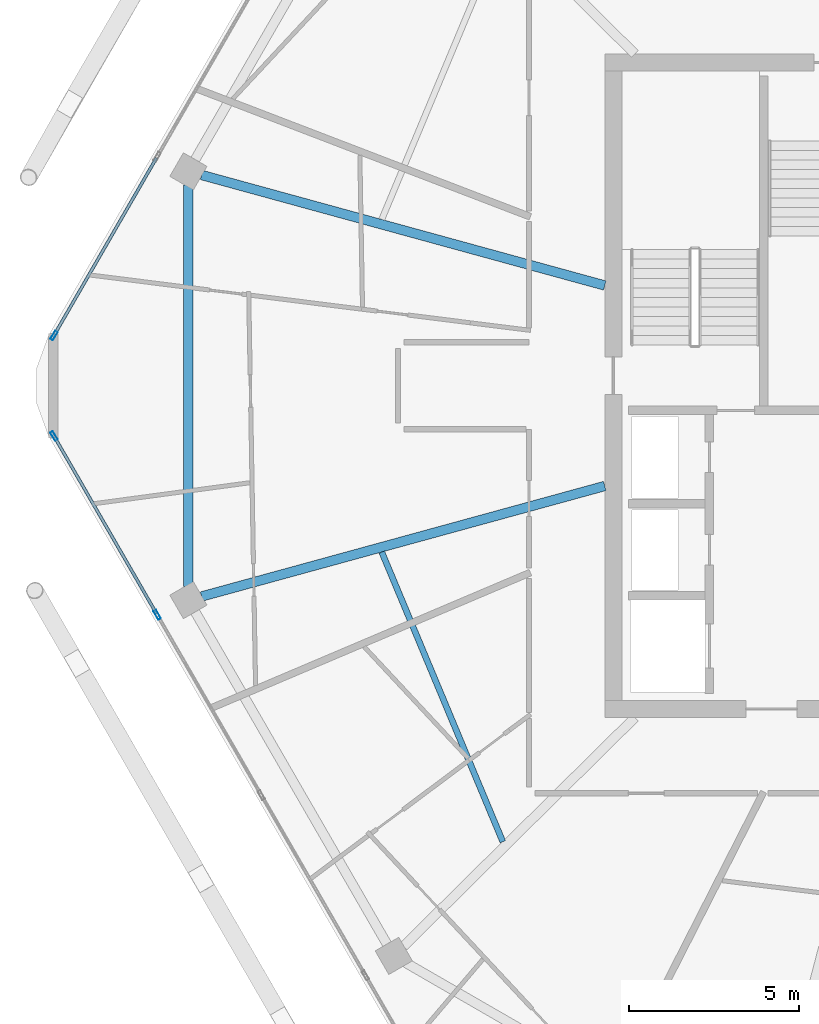
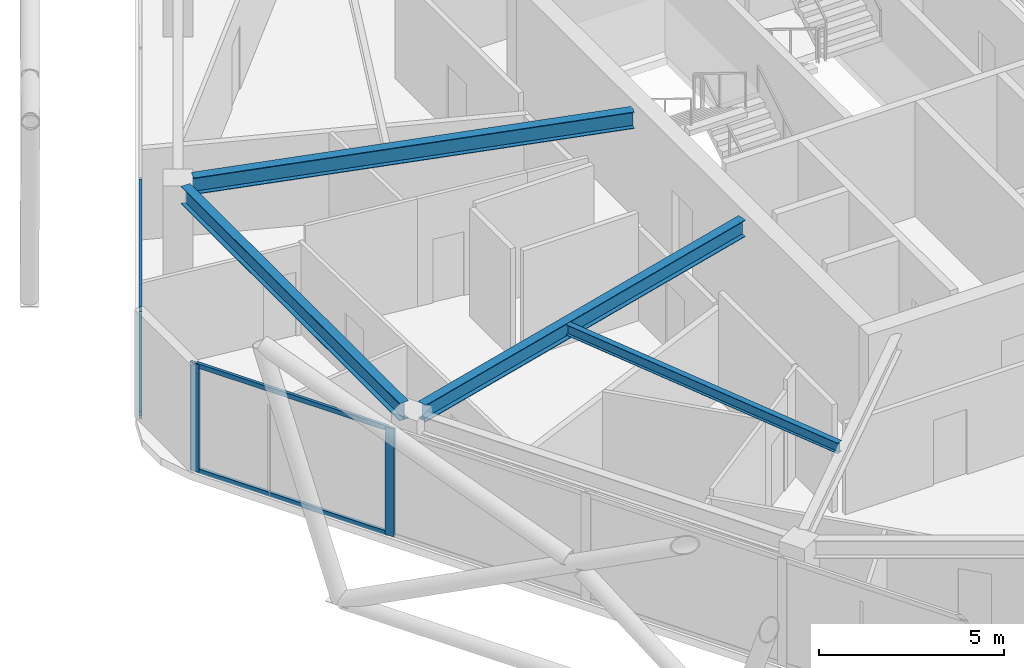
# One storey, part 6 of 23: 7 members, 4 beams, 2 elements without a shape of their own.
"""IFC4 building model written with IfcOpenShell, lengths in metres."""

from ifc_helpers import new_model, si_unit, direction, frame, origin, origin_2d, place, context, subcontext, project, spatial, hollow_rectangle, i_section, extrude, material, material_profile, profile_set, type_object, element, aggregate, save


model = new_model("IFC4")

# Units and contexts
model_context = context("Model", 3, precision=1e-05, world=origin(), true_north=direction((0.0, 1.0)))
body_context = subcontext(model_context, "Body", "Model", "MODEL_VIEW")
ifc_project = project(units=[si_unit("LENGTHUNIT", "METRE"), si_unit("AREAUNIT", "SQUARE_METRE"), si_unit("VOLUMEUNIT", "CUBIC_METRE"), si_unit("PLANEANGLEUNIT", "RADIAN"), si_unit("MASSUNIT", "GRAM", prefix="KILO")], contexts=[model_context])

# Site, building, storey
site_placement = place(None, origin())
site = spatial("IfcSite", under=ifc_project, at=site_placement, CompositionType="ELEMENT")
building_placement = place(site_placement, origin())
building = spatial("IfcBuilding", under=site, at=building_placement, Name="Zuhravey Tower", CompositionType="ELEMENT")
storey_placement = place(building_placement, frame((0.0, 0.0, 323.39990234375)))
storey = spatial("IfcBuildingStorey", under=building, at=storey_placement, Name="L82", CompositionType="ELEMENT", Elevation=323.39990234375)

# Curtain wall, members
ifc_material_1 = material(Name="Thermally broken anodised aluminium", Category="aluminium")
curtain_wall_type = type_object("IfcCurtainWallType", Name="Zone 3-4 High-Rise Curtain Wall CW4", PredefinedType="NOTDEFINED", material=ifc_material_1)
curtain_wall_1_placement = place(storey_placement, origin())
curtain_wall_1 = element("IfcCurtainWall", 1, at=curtain_wall_1_placement, inside=storey, type_object=curtain_wall_type, Name="L82 CW4 CW-L82-F4-1", PredefinedType="NOTDEFINED")
ifc_material_2 = material(Name="Anodised aluminium", Category="aluminium")
ifc_material_profile_1 = material_profile(ifc_material_2, hollow_rectangle(XDim=0.090087890625, YDim=0.284912109375, WallThickness=0.0048828125, at=origin_2d()), Name="ALU-RHS-90x285x5")
ifc_profile_set_1 = profile_set([ifc_material_profile_1], Name="Anodised aluminium")
member_type_1 = type_object("IfcMemberType", Name="Curtain-Wall Mullion 90x180", PredefinedType="MULLION", material=ifc_profile_set_1)
member_1_placement = place(storey_placement, frame((12.09130859375, 25.2626953125, 0.0), z_axis=(0.0, 0.0, 1.0), x_axis=(-0.866025511541, -0.49999981336, 0.0)))
member_1 = element("IfcMember", 2, at=member_1_placement, type_object=member_type_1, Name="CW4 mullion 4", PredefinedType="MULLION", context=body_context, shape_type="SweptSolid", body=[
    extrude(hollow_rectangle(XDim=0.090087890625, YDim=0.284912109375, WallThickness=0.0048828125, at=origin_2d()), origin(), (0.0, 0.0, 1.0), 3.550048828125),
])
member_2_placement = place(storey_placement, frame((9.05419921875, 30.5234375, 0.0), z_axis=(0.0, 0.0, 1.0), x_axis=(-0.866025511541, -0.49999981336, 0.0)))
member_2 = element("IfcMember", 3, at=member_2_placement, type_object=member_type_1, Name="CW4 mullion 5", PredefinedType="MULLION", context=body_context, shape_type="SweptSolid", body=[
    extrude(hollow_rectangle(XDim=0.090087890625, YDim=0.284912109375, WallThickness=0.0048828125, at=origin_2d()), origin(), (0.0, 0.0, 1.0), 3.550048828125),
])

# Curtain wall, member
curtain_wall_2_placement = place(storey_placement, origin())
curtain_wall_2 = element("IfcCurtainWall", 4, at=curtain_wall_2_placement, inside=storey, type_object=curtain_wall_type, Name="L82 CW4 CW-L82-F3-1", PredefinedType="NOTDEFINED")
member_3_placement = place(storey_placement, frame((9.05419921875, 33.4765625, 0.0), z_axis=(0.0, 0.0, 1.0), x_axis=(-0.866025511541, 0.49999981336, 0.0)))
member_3 = element("IfcMember", 5, at=member_3_placement, type_object=member_type_1, Name="CW4 mullion 1", PredefinedType="MULLION", context=body_context, shape_type="SweptSolid", body=[
    extrude(hollow_rectangle(XDim=0.090087890625, YDim=0.284912109375, WallThickness=0.0048828125, at=origin_2d()), origin(), (0.0, 0.0, 1.0), 3.550048828125),
])

# Member
ifc_material_profile_2 = material_profile(ifc_material_2, hollow_rectangle(XDim=0.090087890625, YDim=0.14990234375, WallThickness=0.0048828125, at=origin_2d()), Name="ALU-RHS-90x150x5")
ifc_profile_set_2 = profile_set([ifc_material_profile_2], Name="Anodised aluminium")
member_type_2 = type_object("IfcMemberType", Name="Curtain-Wall Transom 90x150", PredefinedType="USERDEFINED", material=ifc_profile_set_2)
member_4_placement = place(storey_placement, frame((12.06884765625, 25.3017578125, 0.045166015625), z_axis=(-0.499982594807, 0.866035452444, 0.0), x_axis=(-0.866035452444, -0.499982594807, 0.0)))
member_4 = element("IfcMember", 6, at=member_4_placement, type_object=member_type_2, Name="CW4 transom 4.1", ObjectType="TRANSOM", PredefinedType="USERDEFINED", context=body_context, shape_type="SweptSolid", body=[
    extrude(hollow_rectangle(XDim=0.090087890625, YDim=0.14990234375, WallThickness=0.0048828125, at=origin_2d()), origin(), (0.0, 0.0, 1.0), 5.984619140625),
])

member_5_placement = place(storey_placement, frame((12.06884765625, 25.3017578125, 3.505126953125), z_axis=(-0.499982594807, 0.866035452444, 0.0), x_axis=(-0.866035452444, -0.499982594807, 0.0)))
member_5 = element("IfcMember", 7, at=member_5_placement, type_object=member_type_2, Name="CW4 transom 4.2", ObjectType="TRANSOM", PredefinedType="USERDEFINED", context=body_context, shape_type="SweptSolid", body=[
    extrude(hollow_rectangle(XDim=0.090087890625, YDim=0.14990234375, WallThickness=0.0048828125, at=origin_2d()), origin(), (0.0, 0.0, 1.0), 5.984619140625),
])

aggregate(curtain_wall_1, [member_1, member_2, member_4, member_5])

member_6_placement = place(storey_placement, frame((9.07666015625, 33.515380859375, 0.045166015625), z_axis=(0.499982594807, 0.866035452444, 0.0), x_axis=(-0.866035452444, 0.499982594807, 0.0)))
member_6 = element("IfcMember", 8, at=member_6_placement, type_object=member_type_2, Name="CW4 transom 1.1", ObjectType="TRANSOM", PredefinedType="USERDEFINED", context=body_context, shape_type="SweptSolid", body=[
    extrude(hollow_rectangle(XDim=0.090087890625, YDim=0.14990234375, WallThickness=0.0048828125, at=origin_2d()), origin(), (0.0, 0.0, 1.0), 5.984619140625),
])

member_7_placement = place(storey_placement, frame((9.07666015625, 33.515380859375, 3.505126953125), z_axis=(0.499982594807, 0.866035452444, 0.0), x_axis=(-0.866035452444, 0.499982594807, 0.0)))
member_7 = element("IfcMember", 9, at=member_7_placement, type_object=member_type_2, Name="CW4 transom 1.2", ObjectType="TRANSOM", PredefinedType="USERDEFINED", context=body_context, shape_type="SweptSolid", body=[
    extrude(hollow_rectangle(XDim=0.090087890625, YDim=0.14990234375, WallThickness=0.0048828125, at=origin_2d()), origin(), (0.0, 0.0, 1.0), 5.984619140625),
])

aggregate(curtain_wall_2, [member_3, member_6, member_7])

# Beams
ifc_material_3 = material(Name="Steel SM355", Category="steel")
ifc_material_profile_3 = material_profile(ifc_material_3, i_section(OverallWidth=0.280029296875, OverallDepth=0.580078125, WebThickness=0.011962890625, FlangeThickness=0.01904296875, at=origin_2d()), Name="H-580x280x12x19")
ifc_profile_set_3 = profile_set([ifc_material_profile_3], Name="Steel SM355")
beam_type_1 = type_object("IfcBeamType", Name="Perimeter Ring Beam H580x280", PredefinedType="BEAM", material=ifc_profile_set_3)
beam_1_placement = place(storey_placement, frame((13.006591796875, 37.8994140625, 3.260009765625), z_axis=(0.0, -1.0, 0.0), x_axis=(1.0, 0.0, 0.0)))
element("IfcBeam", 10, at=beam_1_placement, inside=storey, type_object=beam_type_1, Name="L82 PB4 BM-L82-PB-06", PredefinedType="BEAM", context=body_context, shape_type="SweptSolid", body=[
    extrude(i_section(OverallWidth=0.280029296875, OverallDepth=0.580078125, WebThickness=0.011962890625, FlangeThickness=0.01904296875, at=origin_2d()), origin(), (0.0, 0.0, 1.0), 11.798828125),
])
ifc_material_profile_4 = material_profile(ifc_material_3, i_section(OverallWidth=0.280029296875, OverallDepth=0.550048828125, WebThickness=0.010986328125, FlangeThickness=0.01806640625, at=origin_2d()), Name="H-550x280x11x18")
ifc_profile_set_4 = profile_set([ifc_material_profile_4], Name="Steel SM355")
beam_type_2 = type_object("IfcBeamType", Name="Radial Primary Girder H550x280", PredefinedType="BEAM", material=ifc_profile_set_4)
for number, where, z_axis, x_axis, name in (
    (11, (25.2470703125, 34.947265625, 3.275146484375), (-0.964427903067, 0.264346022829, 0.0), (-0.264346022829, -0.964427903067, 0.0), "L82 RG4 BM-L82-RAD-06"),
    (12, (25.2470703125, 29.052734375, 3.275146484375), (-0.964427903067, -0.264346022829, 0.0), (0.264346022829, -0.964427903067, 0.0), "L82 RG4 BM-L82-RAD-07"),
):
    element("IfcBeam", number, at=place(storey_placement, frame(where, z_axis=z_axis, x_axis=x_axis)), inside=storey, type_object=beam_type_2, Name=name, PredefinedType="BEAM", context=body_context, shape_type="SweptSolid", body=[
        extrude(i_section(OverallWidth=0.280029296875, OverallDepth=0.550048828125, WebThickness=0.010986328125, FlangeThickness=0.01806640625, at=origin_2d()), origin(), (0.0, 0.0, 1.0), 12.2890625),
    ])
ifc_material_profile_5 = material_profile(ifc_material_3, i_section(OverallWidth=0.175048828125, OverallDepth=0.35009765625, WebThickness=0.007080078125, FlangeThickness=0.010986328125, at=origin_2d()), Name="H-350x175x7x11")
ifc_profile_set_5 = profile_set([ifc_material_profile_5], Name="Steel SM355")
beam_type_3 = type_object("IfcBeamType", Name="Secondary Floor Joist H350x175", PredefinedType="JOIST", material=ifc_profile_set_5)
beam_2_placement = place(storey_placement, frame((18.692626953125, 27.108154296875, 3.375), z_axis=(0.385657891576, -0.922641853953, 0.0), x_axis=(0.922641853953, 0.385657891576, 0.0)))
element("IfcBeam", 13, at=beam_2_placement, inside=storey, type_object=beam_type_3, Name="L82 SJ3 BM-L82-SJ-07-1", PredefinedType="JOIST", context=body_context, shape_type="SweptSolid", body=[
    extrude(i_section(OverallWidth=0.175048828125, OverallDepth=0.35009765625, WebThickness=0.007080078125, FlangeThickness=0.010986328125, at=origin_2d()), origin(), (0.0, 0.0, 1.0), 9.226806640625),
])

save(model, "model.ifc")
